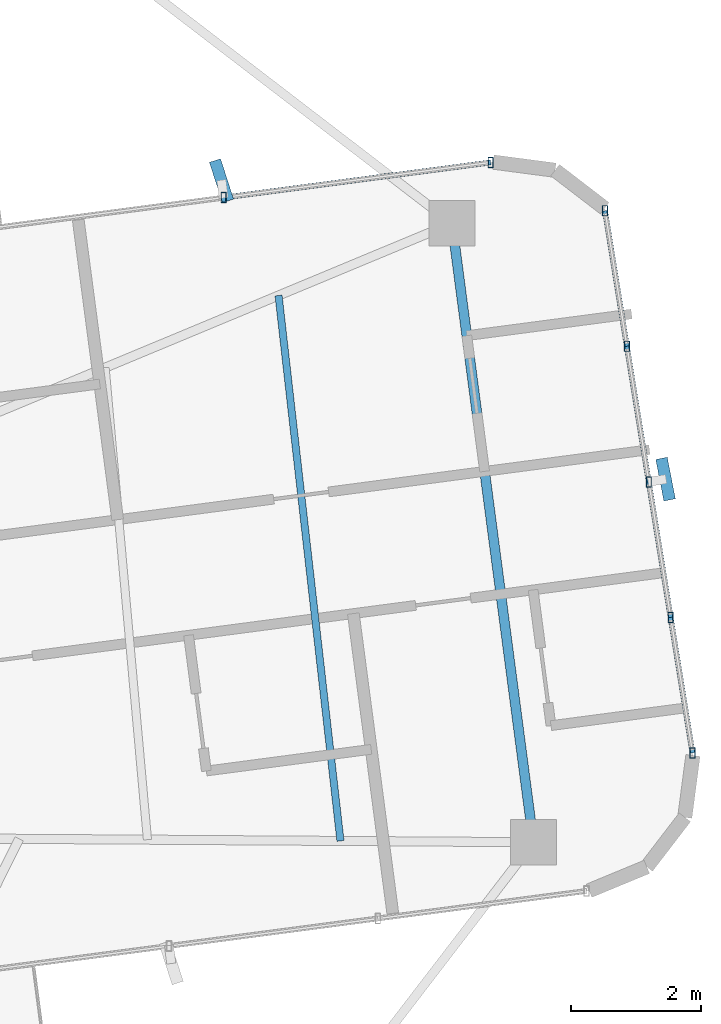
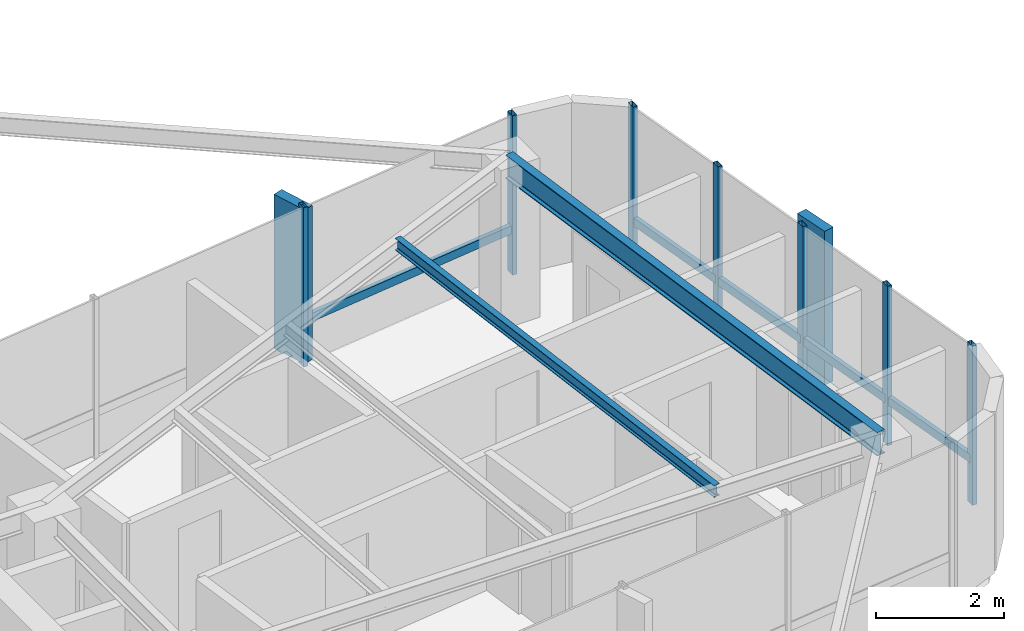
# One storey, part 13 of 23: 14 members, 2 beams, 2 elements without a shape of their own.
"""IFC4 building model written with IfcOpenShell, lengths in metres."""

from ifc_helpers import new_model, si_unit, direction, frame, origin, origin_2d, place, context, subcontext, project, spatial, rectangle, hollow_rectangle, i_section, extrude, source, transform, mapped, material, material_profile, profile_set, type_object, element, aggregate, save


model = new_model("IFC4")

# Units and contexts
model_context = context("Model", 3, precision=1e-05, world=origin(), true_north=direction((0.0, 1.0)))
body_context = subcontext(model_context, "Body", "Model", "MODEL_VIEW")
ifc_project = project(units=[si_unit("LENGTHUNIT", "METRE"), si_unit("AREAUNIT", "SQUARE_METRE"), si_unit("VOLUMEUNIT", "CUBIC_METRE"), si_unit("PLANEANGLEUNIT", "RADIAN"), si_unit("MASSUNIT", "GRAM", prefix="KILO")], contexts=[model_context])

# Site, building, storey
site_placement = place(None, origin())
site = spatial("IfcSite", under=ifc_project, at=site_placement, CompositionType="ELEMENT")
building_placement = place(site_placement, origin())
building = spatial("IfcBuilding", under=site, at=building_placement, Name="Sahyath Konkavel Grand Hotel", CompositionType="ELEMENT")
storey_placement = place(building_placement, frame((0.0, 0.0, 226.60009765625)))
storey = spatial("IfcBuildingStorey", under=building, at=storey_placement, Name="L63", CompositionType="ELEMENT", Elevation=226.60009765625)

# Beams
ifc_material_1 = material(Name="Steel E350", Category="steel")
ifc_material_profile_1 = material_profile(ifc_material_1, i_section(OverallWidth=0.14990234375, OverallDepth=0.449951171875, WebThickness=0.009521484375, FlangeThickness=0.017333984375, FilletRadius=0.014892578125, at=origin_2d()), Name="ISMB 450")
ifc_profile_set_1 = profile_set([ifc_material_profile_1], Name="Steel E350")
beam_type_1 = type_object("IfcBeamType", Name="BM-ISMB450", PredefinedType="BEAM", material=ifc_profile_set_1)
shared_shape_1 = source(origin(), body_context, "Body", "SweptSolid", [
    extrude(i_section(OverallWidth=0.14990234375, OverallDepth=0.449951171875, WebThickness=0.009521484375, FlangeThickness=0.017333984375, FilletRadius=0.014892578125, at=origin_2d()), origin(), (0.0, 0.0, 1.0), 9.576171875),
])
beam_1_placement = place(storey_placement, frame((17.83642578125, -2.481201171875, 2.824951171875), z_axis=(-0.13053365207, 0.991443879237, 0.0), x_axis=(-0.991443879237, -0.13053365207, 0.0)))
element("IfcBeam", 1, at=beam_1_placement, inside=storey, type_object=beam_type_1, Name="L63 Wing Tip Edge Beam E", PredefinedType="BEAM", context=body_context, shape_type="MappedRepresentation", body=[
    mapped(shared_shape_1, transform((0.0, 0.0, 0.0), scale=1.0)),
])
ifc_material_profile_2 = material_profile(ifc_material_1, i_section(OverallWidth=0.110107421875, OverallDepth=0.22509765625, WebThickness=0.006591796875, FlangeThickness=0.01171875, FilletRadius=0.011962890625, at=origin_2d()), Name="ISMB 225")
ifc_profile_set_2 = profile_set([ifc_material_profile_2], Name="Steel E350")
beam_type_2 = type_object("IfcBeamType", Name="BM-ISMB225", PredefinedType="BEAM", material=ifc_profile_set_2)
shared_shape_2 = source(origin(), body_context, "Body", "SweptSolid", [
    extrude(i_section(OverallWidth=0.110107421875, OverallDepth=0.22509765625, WebThickness=0.006591796875, FlangeThickness=0.01171875, FilletRadius=0.011962890625, at=origin_2d()), origin(), (0.0, 0.0, 1.0), 8.42138671875),
])
beam_2_placement = place(storey_placement, frame((14.875732421875, -2.461669921875, 2.9375), z_axis=(-0.112801708796, 0.993617519216, 0.0), x_axis=(-0.993617519216, -0.112801708796, 0.0)))
element("IfcBeam", 2, at=beam_2_placement, inside=storey, type_object=beam_type_2, Name="L63 Secondary Floor Beam E-3", PredefinedType="BEAM", context=body_context, shape_type="MappedRepresentation", body=[
    mapped(shared_shape_2, transform((0.0, 0.0, 0.0), scale=1.0)),
])

# Curtain wall, members
ifc_material_2 = material(Name="Anodised Bronze Aluminium & Low-E Glazing", Category="aluminium")
curtain_wall_type = type_object("IfcCurtainWallType", Name="CW-ZONE4", PredefinedType="NOTDEFINED", material=ifc_material_2)
curtain_wall_1_placement = place(storey_placement, origin())
curtain_wall_1 = element("IfcCurtainWall", 3, at=curtain_wall_1_placement, inside=storey, type_object=curtain_wall_type, Name="L63 Unitised Curtain Wall F4", PredefinedType="NOTDEFINED")
ifc_material_3 = material(Name="Anodised Bronze Aluminium", Category="aluminium")
ifc_material_profile_3 = material_profile(ifc_material_3, hollow_rectangle(XDim=0.080078125, YDim=0.159912109375, WallThickness=0.006103515625, at=origin_2d()), Name="RHS 160x80x6")
ifc_profile_set_3 = profile_set([ifc_material_profile_3], Name="Anodised Bronze Aluminium")
member_type_1 = type_object("IfcMemberType", Name="CW-MUL-160", PredefinedType="MULLION", material=ifc_profile_set_3)
shared_shape_3 = source(origin(), body_context, "Body", "SweptSolid", [
    extrude(hollow_rectangle(XDim=0.080078125, YDim=0.159912109375, WallThickness=0.006103515625, at=origin_2d()), origin(), (0.0, 0.0, 1.0), 3.0498046875),
])
member_1_placement = place(storey_placement, frame((20.27734375, -1.11083984375, 0.0), z_axis=(0.0, 0.0, 1.0), x_axis=(1.0, 0.0, 0.0)))
member_1 = element("IfcMember", 4, at=member_1_placement, type_object=member_type_1, Name="L63 Curtain Wall Mullion F4-0", PredefinedType="MULLION", context=body_context, shape_type="MappedRepresentation", body=[
    mapped(shared_shape_3, transform((0.0, 0.0, 0.0), scale=1.0)),
])
member_2_placement = place(storey_placement, frame((19.941650390625, 0.968505859375, 0.0), z_axis=(0.0, 0.0, 1.0), x_axis=(1.0, 0.0, 0.0)))
member_2 = element("IfcMember", 5, at=member_2_placement, type_object=member_type_1, Name="L63 Curtain Wall Mullion F4-1", PredefinedType="MULLION", context=body_context, shape_type="MappedRepresentation", body=[
    mapped(shared_shape_3, transform((0.0, 0.0, 0.0), scale=1.0)),
])
member_3_placement = place(storey_placement, frame((19.60595703125, 3.047607421875, 0.0), z_axis=(0.0, 0.0, 1.0), x_axis=(1.0, 0.0, 0.0)))
member_3 = element("IfcMember", 6, at=member_3_placement, type_object=member_type_1, Name="L63 Curtain Wall Mullion F4-2", PredefinedType="MULLION", context=body_context, shape_type="MappedRepresentation", body=[
    mapped(shared_shape_3, transform((0.0, 0.0, 0.0), scale=1.0)),
])
member_4_placement = place(storey_placement, frame((19.270263671875, 5.126953125, 0.0), z_axis=(0.0, 0.0, 1.0), x_axis=(1.0, 0.0, 0.0)))
member_4 = element("IfcMember", 7, at=member_4_placement, type_object=member_type_1, Name="L63 Curtain Wall Mullion F4-3", PredefinedType="MULLION", context=body_context, shape_type="MappedRepresentation", body=[
    mapped(shared_shape_3, transform((0.0, 0.0, 0.0), scale=1.0)),
])
member_5_placement = place(storey_placement, frame((18.934814453125, 7.2060546875, 0.0), z_axis=(0.0, 0.0, 1.0), x_axis=(1.0, 0.0, 0.0)))
member_5 = element("IfcMember", 8, at=member_5_placement, type_object=member_type_1, Name="L63 Curtain Wall Mullion F4-4", PredefinedType="MULLION", context=body_context, shape_type="MappedRepresentation", body=[
    mapped(shared_shape_3, transform((0.0, 0.0, 0.0), scale=1.0)),
])

curtain_wall_2_placement = place(storey_placement, origin())
curtain_wall_2 = element("IfcCurtainWall", 9, at=curtain_wall_2_placement, inside=storey, type_object=curtain_wall_type, Name="L63 Unitised Curtain Wall F7", PredefinedType="NOTDEFINED")
member_6_placement = place(storey_placement, frame((17.179443359375, 7.948486328125, 0.0), z_axis=(0.0, 0.0, 1.0), x_axis=(1.0, 0.0, 0.0)))
member_6 = element("IfcMember", 10, at=member_6_placement, type_object=member_type_1, Name="L63 Curtain Wall Mullion F7-0", PredefinedType="MULLION", context=body_context, shape_type="MappedRepresentation", body=[
    mapped(shared_shape_3, transform((0.0, 0.0, 0.0), scale=1.0)),
])
member_7_placement = place(storey_placement, frame((13.084228515625, 7.4091796875, 0.0), z_axis=(0.0, 0.0, 1.0), x_axis=(1.0, 0.0, 0.0)))
member_7 = element("IfcMember", 11, at=member_7_placement, type_object=member_type_1, Name="L63 Curtain Wall Mullion F7-1", PredefinedType="MULLION", context=body_context, shape_type="MappedRepresentation", body=[
    mapped(shared_shape_3, transform((0.0, 0.0, 0.0), scale=1.0)),
])

# Member
ifc_material_4 = material(Name="Warm Buff Sandstone Cladding on Concrete C50/60", Category="masonry")
ifc_material_profile_4 = material_profile(ifc_material_4, rectangle(XDim=0.179931640625, YDim=0.64990234375, at=origin_2d()), Name="FIN 180x650")
ifc_profile_set_4 = profile_set([ifc_material_profile_4], Name="Warm Buff Sandstone Cladding on Concrete C50/60")
member_type_2 = type_object("IfcMemberType", Name="FIN-SANDSTONE-650", PredefinedType="MULLION", material=ifc_profile_set_4)
shared_shape_4 = source(origin(), body_context, "Body", "SweptSolid", [
    extrude(rectangle(XDim=0.179931640625, YDim=0.64990234375, at=origin_2d()), origin(), (0.0, 0.0, 1.0), 2.9501953125),
])
member_8_placement = place(storey_placement, frame((19.86279296875, 3.089111328125, 0.0498046875), z_axis=(0.0, 0.0, 1.0), x_axis=(0.981527141537, 0.191322947989, 0.0)))
member_8 = element("IfcMember", 12, at=member_8_placement, type_object=member_type_2, Name="L63 Sandstone Vertical Solar Fin FIN F4-2", PredefinedType="MULLION", context=body_context, shape_type="MappedRepresentation", body=[
    mapped(shared_shape_4, transform((0.0, 0.0, 0.0), scale=1.0)),
])

member_9_placement = place(storey_placement, frame((13.05029296875, 7.6669921875, 0.0498046875), z_axis=(0.0, 0.0, 1.0), x_axis=(0.951808747363, 0.306692204733, 0.0)))
member_9 = element("IfcMember", 13, at=member_9_placement, type_object=member_type_2, Name="L63 Sandstone Vertical Solar Fin FIN F7-1", PredefinedType="MULLION", context=body_context, shape_type="MappedRepresentation", body=[
    mapped(shared_shape_4, transform((0.0, 0.0, 0.0), scale=1.0)),
])

ifc_material_profile_5 = material_profile(ifc_material_3, hollow_rectangle(XDim=0.080078125, YDim=0.159912109375, WallThickness=0.006103515625, at=origin_2d()), Name="RHS 160x80x6")
ifc_profile_set_5 = profile_set([ifc_material_profile_5], Name="Anodised Bronze Aluminium")
member_type_3 = type_object("IfcMemberType", Name="CW-TRN-160", PredefinedType="USERDEFINED", material=ifc_profile_set_5)
shared_shape_5 = source(origin(), body_context, "Body", "SweptSolid", [
    extrude(hollow_rectangle(XDim=0.080078125, YDim=0.159912109375, WallThickness=0.006103515625, at=origin_2d()), origin(), (0.0, 0.0, 1.0), 2.106201171875),
])
member_10_placement = place(storey_placement, frame((20.27734375, -1.11083984375, 0.849853515625), z_axis=(-0.159378208048, 0.987217598506, 0.0), x_axis=(-0.987217598506, -0.159378208048, 0.0)))
member_10 = element("IfcMember", 14, at=member_10_placement, type_object=member_type_3, Name="L63 Curtain Wall Transom F4-0-spandrel", ObjectType="TRANSOM", PredefinedType="USERDEFINED", context=body_context, shape_type="MappedRepresentation", body=[
    mapped(shared_shape_5, transform((0.0, 0.0, 0.0), scale=1.0)),
])

member_11_placement = place(storey_placement, frame((19.60595703125, 3.047607421875, 0.849853515625), z_axis=(-0.159378208048, 0.987217598506, 0.0), x_axis=(-0.987217598506, -0.159378208048, 0.0)))
member_11 = element("IfcMember", 15, at=member_11_placement, type_object=member_type_3, Name="L63 Curtain Wall Transom F4-2-spandrel", ObjectType="TRANSOM", PredefinedType="USERDEFINED", context=body_context, shape_type="MappedRepresentation", body=[
    mapped(shared_shape_5, transform((0.0, 0.0, 0.0), scale=1.0)),
])

shared_shape_6 = source(origin(), body_context, "Body", "SweptSolid", [
    extrude(hollow_rectangle(XDim=0.080078125, YDim=0.159912109375, WallThickness=0.006103515625, at=origin_2d()), origin(), (0.0, 0.0, 1.0), 2.10595703125),
])
member_12_placement = place(storey_placement, frame((19.941650390625, 0.968505859375, 0.849853515625), z_axis=(-0.159396447724, 0.987214653686, 0.0), x_axis=(-0.987214653686, -0.159396447724, 0.0)))
member_12 = element("IfcMember", 16, at=member_12_placement, type_object=member_type_3, Name="L63 Curtain Wall Transom F4-1-spandrel", ObjectType="TRANSOM", PredefinedType="USERDEFINED", context=body_context, shape_type="MappedRepresentation", body=[
    mapped(shared_shape_6, transform((0.0, 0.0, 0.0), scale=1.0)),
])

member_13_placement = place(storey_placement, frame((19.270263671875, 5.126953125, 0.849853515625), z_axis=(-0.159283465229, 0.987232889294, 0.0), x_axis=(-0.987232889294, -0.159283465229, 0.0)))
member_13 = element("IfcMember", 17, at=member_13_placement, type_object=member_type_3, Name="L63 Curtain Wall Transom F4-3-spandrel", ObjectType="TRANSOM", PredefinedType="USERDEFINED", context=body_context, shape_type="MappedRepresentation", body=[
    mapped(shared_shape_6, transform((0.0, 0.0, 0.0), scale=1.0)),
])

aggregate(curtain_wall_1, [member_1, member_2, member_3, member_8, member_4, member_5, member_10, member_12, member_11, member_13])

shared_shape_7 = source(origin(), body_context, "Body", "SweptSolid", [
    extrude(hollow_rectangle(XDim=0.080078125, YDim=0.159912109375, WallThickness=0.006103515625, at=origin_2d()), origin(), (0.0, 0.0, 1.0), 4.130615234375),
])
member_14_placement = place(storey_placement, frame((17.179443359375, 7.948486328125, 0.849853515625), z_axis=(-0.991439804701, -0.130564595719, 0.0), x_axis=(0.130564595719, -0.991439804701, 0.0)))
member_14 = element("IfcMember", 18, at=member_14_placement, type_object=member_type_3, Name="L63 Curtain Wall Transom F7-0-spandrel", ObjectType="TRANSOM", PredefinedType="USERDEFINED", context=body_context, shape_type="MappedRepresentation", body=[
    mapped(shared_shape_7, transform((0.0, 0.0, 0.0), scale=1.0)),
])

aggregate(curtain_wall_2, [member_6, member_7, member_9, member_14])

save(model, "model.ifc")
